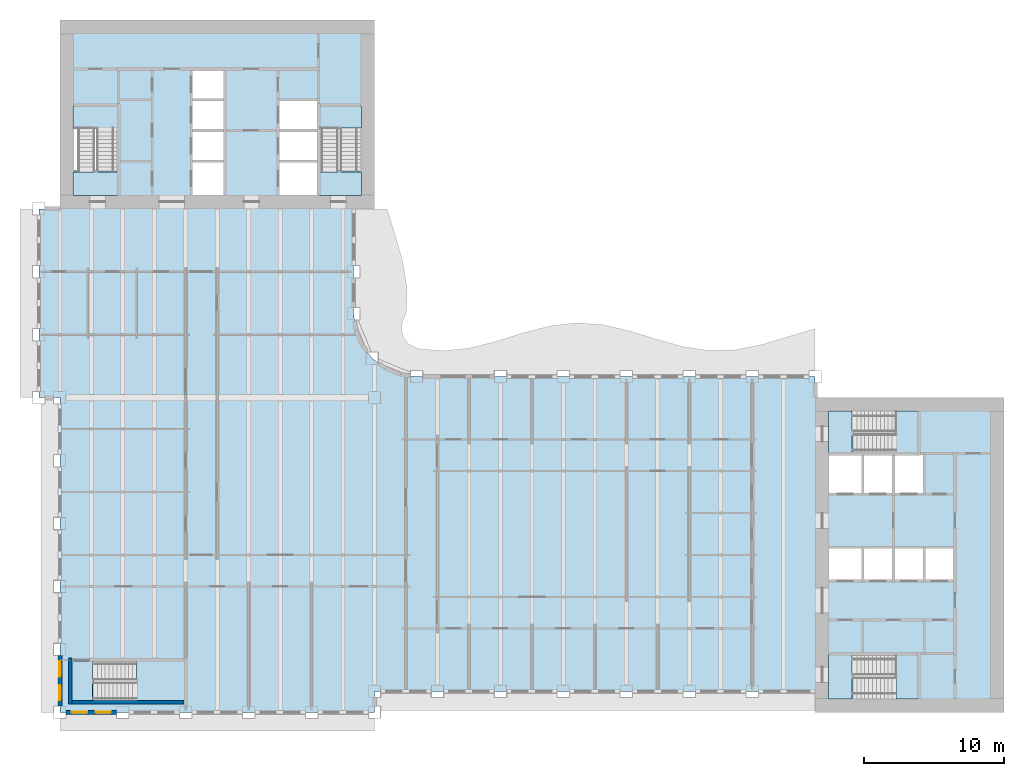
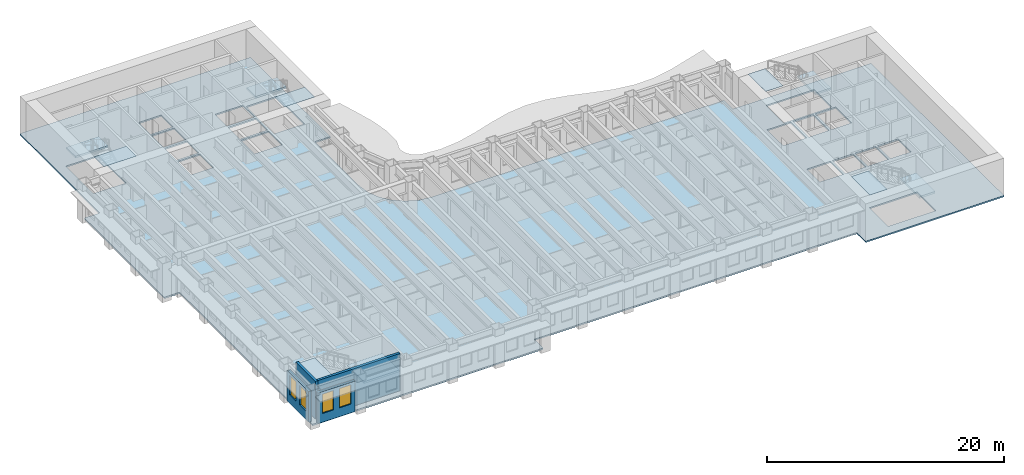
# One storey, part 2 of 16: 11 slabs, 4 walls, 4 windows, 4 openings, 5 elements without a shape of their own.
"""IFC4 building model written with IfcOpenShell, lengths in metres."""

from ifc_helpers import new_model, si_unit, direction, frame, frame_2d, origin, place, context, subcontext, project, spatial, polyline, rectangle, outline, extrude, material, layer, layer_set, type_object, element, fill, aggregate, save


model = new_model("IFC4")

# Units and contexts
model_context = context("Model", 3, precision=1e-05, world=origin(), true_north=direction((0.0, 1.0)))
body_context = subcontext(model_context, "Body", "Model", "MODEL_VIEW")
ifc_project = project(units=[si_unit("LENGTHUNIT", "METRE"), si_unit("AREAUNIT", "SQUARE_METRE"), si_unit("VOLUMEUNIT", "CUBIC_METRE"), si_unit("PLANEANGLEUNIT", "RADIAN"), si_unit("MASSUNIT", "GRAM", prefix="KILO")], contexts=[model_context])

# Site, building, storey
site_placement = place(None, origin())
site = spatial("IfcSite", under=ifc_project, at=site_placement, CompositionType="ELEMENT")
building_placement = place(site_placement, origin())
building = spatial("IfcBuilding", under=site, at=building_placement, Name="Sennacour Bend Tower", CompositionType="ELEMENT")
storey_placement = place(building_placement, frame((0.0, 0.0, 163.0)))
storey = spatial("IfcBuildingStorey", under=building, at=storey_placement, Name="L37", CompositionType="ELEMENT", Elevation=163.0)

# Slabs
ifc_material_1 = material(Name="Concrete C30/37", Category="concrete")
ifc_layer_1 = layer(ifc_material_1, 0.14990234375, Name="Concrete C30/37", Category="concrete")
ifc_layer_set_1 = layer_set([ifc_layer_1], Name="Concrete C30/37")
slab_type_1 = type_object("IfcSlabType", Name="Floor slab 150", PredefinedType="FLOOR", material=ifc_layer_set_1)
slab_1_placement = place(storey_placement, frame((0.0, 0.0, -0.14990234375)))
element("IfcSlab", 1, at=slab_1_placement, inside=storey, type_object=slab_type_1, Name="Floor slab L37-01", PredefinedType="FLOOR", context=body_context, shape_type="SweptSolid", body=[
    extrude(outline(polyline([(0.0, 22.5), (-1.5, 22.5), (-1.5, 36.0), (0.0, 36.0), (0.0, 49.5), (22.5, 49.5), (22.5, 36.0), (21.0, 36.0), (21.0, 28.5), (21.1533203125, 27.335205078125), (21.602783203125, 26.25), (22.318115234375, 25.318115234375), (23.25, 24.602783203125), (24.335205078125, 24.1533203125), (25.5, 24.0), (54.0, 24.0), (54.0, 22.5), (67.5, 22.5), (67.5, 0.0), (54.0, 0.0), (54.0, 1.5), (22.5, 1.5), (22.5, 0.0), (0.0, 0.0), (0.0, 22.5)]), holes=[polyline([(8.800048828125, 0.949951171875), (8.800048828125, 3.5), (2.429931640625, 3.5), (2.429931640625, 0.949951171875), (8.800048828125, 0.949951171875)]), polyline([(11.699951171875, 37.0), (11.699951171875, 39.300048828125), (9.5, 39.300048828125), (9.5, 37.0), (11.699951171875, 37.0)]), polyline([(18.39990234375, 37.0), (18.39990234375, 39.300048828125), (15.699951171875, 39.300048828125), (15.699951171875, 37.0), (18.39990234375, 37.0)]), polyline([(11.699951171875, 39.5), (11.699951171875, 41.5), (9.5, 41.5), (9.5, 39.5), (11.699951171875, 39.5)]), polyline([(18.39990234375, 39.5), (18.39990234375, 41.5), (15.699951171875, 41.5), (15.699951171875, 39.5), (18.39990234375, 39.5)]), polyline([(4.125, 38.72998046875), (4.125, 43.39990234375), (0.949951171875, 43.39990234375), (0.949951171875, 38.72998046875), (4.125, 38.72998046875)]), polyline([(21.550048828125, 38.72998046875), (21.550048828125, 43.39990234375), (18.574951171875, 43.39990234375), (18.574951171875, 38.72998046875), (21.550048828125, 38.72998046875)]), polyline([(9.5, 41.699951171875), (11.699951171875, 41.699951171875), (11.699951171875, 43.699951171875), (9.5, 43.699951171875), (9.5, 41.699951171875)]), polyline([(15.699951171875, 41.699951171875), (18.39990234375, 41.699951171875), (18.39990234375, 43.699951171875), (15.699951171875, 43.699951171875), (15.699951171875, 41.699951171875)]), polyline([(11.699951171875, 43.89990234375), (11.699951171875, 45.89990234375), (9.5, 45.89990234375), (9.5, 43.89990234375), (11.699951171875, 43.89990234375)]), polyline([(61.39990234375, 0.949951171875), (61.39990234375, 4.125), (56.72998046875, 4.125), (56.72998046875, 0.949951171875), (61.39990234375, 0.949951171875)]), polyline([(57.300048828125, 9.5), (57.300048828125, 11.699951171875), (55.0, 11.699951171875), (55.0, 9.5), (57.300048828125, 9.5)]), polyline([(57.5, 9.5), (59.5, 9.5), (59.5, 11.699951171875), (57.5, 11.699951171875), (57.5, 9.5)]), polyline([(59.699951171875, 9.5), (61.699951171875, 9.5), (61.699951171875, 11.699951171875), (59.699951171875, 11.699951171875), (59.699951171875, 9.5)]), polyline([(63.89990234375, 9.5), (63.89990234375, 11.699951171875), (61.89990234375, 11.699951171875), (61.89990234375, 9.5), (63.89990234375, 9.5)]), polyline([(57.300048828125, 15.699951171875), (57.300048828125, 18.39990234375), (55.0, 18.39990234375), (55.0, 15.699951171875), (57.300048828125, 15.699951171875)]), polyline([(59.5, 15.699951171875), (59.5, 18.39990234375), (57.5, 18.39990234375), (57.5, 15.699951171875), (59.5, 15.699951171875)]), polyline([(59.699951171875, 15.699951171875), (61.699951171875, 15.699951171875), (61.699951171875, 18.39990234375), (59.699951171875, 18.39990234375), (59.699951171875, 15.699951171875)]), polyline([(56.72998046875, 18.574951171875), (61.39990234375, 18.574951171875), (61.39990234375, 21.550048828125), (56.72998046875, 21.550048828125), (56.72998046875, 18.574951171875)])]), origin(), (0.0, 0.0, 1.0), 0.14990234375),
])
ifc_material_2 = material(Name="Concrete C40/50", Category="concrete")
ifc_layer_2 = layer(ifc_material_2, 0.034912109375, Name="Concrete C40/50", Category="concrete")
ifc_layer_set_2 = layer_set([ifc_layer_2], Name="Concrete C40/50")
slab_type_2 = type_object("IfcSlabType", Name="Stair arrival nib 35", PredefinedType="FLOOR", material=ifc_layer_set_2)
slab_2_placement = place(storey_placement, frame((0.0, 0.0, 3.815185546875)))
element("IfcSlab", 2, at=slab_2_placement, inside=storey, type_object=slab_type_2, Name="L37 SA1 stair arrival nib", PredefinedType="FLOOR", context=body_context, shape_type="SweptSolid", body=[
    extrude(outline(polyline([(56.64208984375, 4.125), (54.949951171875, 4.125), (54.949951171875, 0.949951171875), (56.64208984375, 0.949951171875), (56.64208984375, 4.125)])), origin(), (0.0, 0.0, 1.0), 0.034912109375),
])
slab_3_placement = place(storey_placement, frame((0.0, 0.0, 3.815185546875)))
element("IfcSlab", 3, at=slab_3_placement, inside=storey, type_object=slab_type_2, Name="L37 SA2 stair arrival nib", PredefinedType="FLOOR", context=body_context, shape_type="SweptSolid", body=[
    extrude(outline(polyline([(56.64208984375, 21.550048828125), (54.949951171875, 21.550048828125), (54.949951171875, 18.574951171875), (56.64208984375, 18.574951171875), (56.64208984375, 21.550048828125)])), origin(), (0.0, 0.0, 1.0), 0.034912109375),
])
slab_4_placement = place(storey_placement, frame((0.0, 0.0, 3.815185546875)))
element("IfcSlab", 4, at=slab_4_placement, inside=storey, type_object=slab_type_2, Name="L37 SB1 stair arrival nib", PredefinedType="FLOOR", context=body_context, shape_type="SweptSolid", body=[
    extrude(outline(polyline([(0.949951171875, 38.64208984375), (0.949951171875, 36.949951171875), (4.125, 36.949951171875), (4.125, 38.64208984375), (0.949951171875, 38.64208984375)])), origin(), (0.0, 0.0, 1.0), 0.034912109375),
])
slab_5_placement = place(storey_placement, frame((0.0, 0.0, 3.815185546875)))
element("IfcSlab", 5, at=slab_5_placement, inside=storey, type_object=slab_type_2, Name="L37 SB2 stair arrival nib", PredefinedType="FLOOR", context=body_context, shape_type="SweptSolid", body=[
    extrude(outline(polyline([(18.574951171875, 38.64208984375), (18.574951171875, 36.949951171875), (21.550048828125, 36.949951171875), (21.550048828125, 38.64208984375), (18.574951171875, 38.64208984375)])), origin(), (0.0, 0.0, 1.0), 0.034912109375),
])
slab_6_placement = place(storey_placement, frame((0.0, 0.0, 3.815185546875)))
element("IfcSlab", 6, at=slab_6_placement, inside=storey, type_object=slab_type_2, Name="L37 SK1 stair arrival nib", PredefinedType="FLOOR", context=body_context, shape_type="SweptSolid", body=[
    extrude(outline(polyline([(2.342041015625, 3.675048828125), (0.800048828125, 3.675048828125), (0.800048828125, 0.800048828125), (2.342041015625, 0.800048828125), (2.342041015625, 3.675048828125)])), origin(), (0.0, 0.0, 1.0), 0.034912109375),
])

# Stair, slab
stair_type = type_object("IfcStairType", Name="ST-DOGLEG", PredefinedType="HALF_TURN_STAIR", material=ifc_material_2)
stair_1_placement = place(storey_placement, origin())
stair_1 = element("IfcStair", 7, at=stair_1_placement, inside=storey, type_object=stair_type, Name="L37 Exit stair A1", PredefinedType="HALF_TURN_STAIR")
ifc_layer_3 = layer(ifc_material_2, 0.199951171875, Name="Concrete C40/50", Category="concrete")
ifc_layer_set_3 = layer_set([ifc_layer_3], Name="Concrete C40/50")
slab_type_3 = type_object("IfcSlabType", Name="Stair landing 200", PredefinedType="LANDING", material=ifc_layer_set_3)
slab_7_placement = place(storey_placement, frame((0.0, 0.0, 1.800048828125)))
slab_7 = element("IfcSlab", 8, at=slab_7_placement, type_object=slab_type_3, Name="SA1 landing 1", PredefinedType="LANDING", context=body_context, shape_type="SweptSolid", body=[
    extrude(outline(polyline([(59.780029296875, 0.949951171875), (61.324951171875, 0.949951171875), (61.324951171875, 4.125), (59.780029296875, 4.125), (59.780029296875, 0.949951171875)])), origin(), (0.0, 0.0, 1.0), 0.199951171875),
])
aggregate(stair_1, [slab_7])

stair_2_placement = place(storey_placement, origin())
stair_2 = element("IfcStair", 9, at=stair_2_placement, inside=storey, type_object=stair_type, Name="L37 Exit stair A2", PredefinedType="HALF_TURN_STAIR")
slab_8_placement = place(storey_placement, frame((0.0, 0.0, 1.800048828125)))
slab_8 = element("IfcSlab", 10, at=slab_8_placement, type_object=slab_type_3, Name="SA2 landing 1", PredefinedType="LANDING", context=body_context, shape_type="SweptSolid", body=[
    extrude(outline(polyline([(59.780029296875, 18.574951171875), (61.324951171875, 18.574951171875), (61.324951171875, 21.550048828125), (59.780029296875, 21.550048828125), (59.780029296875, 18.574951171875)])), origin(), (0.0, 0.0, 1.0), 0.199951171875),
])
aggregate(stair_2, [slab_8])

stair_3_placement = place(storey_placement, origin())
stair_3 = element("IfcStair", 11, at=stair_3_placement, inside=storey, type_object=stair_type, Name="L37 Exit stair B1", PredefinedType="HALF_TURN_STAIR")
slab_9_placement = place(storey_placement, frame((0.0, 0.0, 1.800048828125)))
slab_9 = element("IfcSlab", 12, at=slab_9_placement, type_object=slab_type_3, Name="SB1 landing 1", PredefinedType="LANDING", context=body_context, shape_type="SweptSolid", body=[
    extrude(outline(polyline([(0.949951171875, 41.780029296875), (4.125, 41.780029296875), (4.125, 43.324951171875), (0.949951171875, 43.324951171875), (0.949951171875, 41.780029296875)])), origin(), (0.0, 0.0, 1.0), 0.199951171875),
])
aggregate(stair_3, [slab_9])

stair_4_placement = place(storey_placement, origin())
stair_4 = element("IfcStair", 13, at=stair_4_placement, inside=storey, type_object=stair_type, Name="L37 Exit stair B2", PredefinedType="HALF_TURN_STAIR")
slab_10_placement = place(storey_placement, frame((0.0, 0.0, 1.800048828125)))
slab_10 = element("IfcSlab", 14, at=slab_10_placement, type_object=slab_type_3, Name="SB2 landing 1", PredefinedType="LANDING", context=body_context, shape_type="SweptSolid", body=[
    extrude(outline(polyline([(18.574951171875, 41.780029296875), (21.550048828125, 41.780029296875), (21.550048828125, 43.324951171875), (18.574951171875, 43.324951171875), (18.574951171875, 41.780029296875)])), origin(), (0.0, 0.0, 1.0), 0.199951171875),
])
aggregate(stair_4, [slab_10])

stair_5_placement = place(storey_placement, origin())
stair_5 = element("IfcStair", 15, at=stair_5_placement, inside=storey, type_object=stair_type, Name="L37 Exit stair K1", PredefinedType="HALF_TURN_STAIR")
slab_11_placement = place(storey_placement, frame((0.0, 0.0, 1.800048828125)))
slab_11 = element("IfcSlab", 16, at=slab_11_placement, type_object=slab_type_3, Name="SK1 landing 1", PredefinedType="LANDING", context=body_context, shape_type="SweptSolid", body=[
    extrude(outline(polyline([(5.47998046875, 0.800048828125), (8.925048828125, 0.800048828125), (8.925048828125, 3.675048828125), (5.47998046875, 3.675048828125), (5.47998046875, 0.800048828125)])), origin(), (0.0, 0.0, 1.0), 0.199951171875),
])
aggregate(stair_5, [slab_11])

# Wall, openings, windows
ifc_material_3 = material(Name="Warm limestone cladding", Category="masonry")
ifc_layer_4 = layer(ifc_material_3, 0.050048828125, Name="Warm limestone cladding", Category="masonry")
ifc_material_4 = material(Name="Precast concrete C40/50", Category="concrete")
ifc_layer_5 = layer(ifc_material_4, 0.25, Name="Precast concrete C40/50", Category="concrete")
ifc_layer_set_4 = layer_set([ifc_layer_4, ifc_layer_5], Name="Precast concrete C40/50 with limestone cladding")
wall_type_1 = type_object("IfcWallType", Name="STONE-CLAD PRECAST SPANDREL 300", PredefinedType="STANDARD", material=ifc_layer_set_4)
wall_1_placement = place(storey_placement, frame((0.449951171875, 0.0, 0.0), z_axis=(0.0, 0.0, 1.0), x_axis=(1.0, 0.0, 0.0)))
wall_1 = element("IfcWall", 17, at=wall_1_placement, inside=storey, type_object=wall_type_1, Name="Stone spandrel and pier wall L37 00.00", PredefinedType="STANDARD", context=body_context, shape_type="SweptSolid", body=[
    extrude(rectangle(XDim=3.60009765625, YDim=0.300048828125, at=frame_2d((1.800048828125, 0.0))), origin(), (0.0, 0.0, 1.0), 3.14892578125),
])
opening_1_placement = place(wall_1_placement, frame((0.39990234375, 0.0, 0.89990234375)))
opening_1 = element("IfcOpeningElement", 18, at=opening_1_placement, cuts=wall_1, Name="Opening W19", PredefinedType="OPENING", context=body_context, shape_type="SweptSolid", body=[
    extrude(rectangle(XDim=1.10009765625, YDim=2.0, at=frame_2d((0.550048828125, 1.0))), frame((0.0, 0.16015625, 0.0), z_axis=(0.0, -1.0, 0.0), x_axis=(1.0, 0.0, 0.0)), (0.0, 0.0, 1.0), 0.320068359375),
])
opening_2_placement = place(wall_1_placement, frame((2.10009765625, 0.0, 0.89990234375)))
opening_2 = element("IfcOpeningElement", 19, at=opening_2_placement, cuts=wall_1, Name="Opening W19", PredefinedType="OPENING", context=body_context, shape_type="SweptSolid", body=[
    extrude(rectangle(XDim=1.10009765625, YDim=2.0, at=frame_2d((0.550048828125, 1.0))), frame((0.0, 0.16015625, 0.0), z_axis=(0.0, -1.0, 0.0), x_axis=(1.0, 0.0, 0.0)), (0.0, 0.0, 1.0), 0.320068359375),
])
ifc_material_5 = material(Name="Clear low-emissivity glass", Category="glass")
window_type = type_object("IfcWindowType", Name="WIN-RIBBON-1100x2000", PartitioningType="SINGLE_PANEL", PredefinedType="WINDOW", material=ifc_material_5)
window_1_placement = place(opening_1_placement, origin())
window_1 = element("IfcWindow", 20, at=window_1_placement, inside=storey, type_object=window_type, Name="Ribbon window L37 00.00.0", OverallHeight=2.0, OverallWidth=1.10009765625, PartitioningType="SINGLE_PANEL", PredefinedType="WINDOW", context=body_context, shape_type="SweptSolid", body=[
    extrude(rectangle(XDim=1.10009765625, YDim=2.0, at=frame_2d((0.550048828125, 1.0))), frame((0.0, 0.030029296875, 0.0), z_axis=(0.0, -1.0, 0.0), x_axis=(1.0, 0.0, 0.0)), (0.0, 0.0, 1.0), 0.06005859375),
])
fill(opening_1, window_1)
window_2_placement = place(opening_2_placement, origin())
window_2 = element("IfcWindow", 21, at=window_2_placement, inside=storey, type_object=window_type, Name="Ribbon window L37 00.00.1", OverallHeight=2.0, OverallWidth=1.10009765625, PartitioningType="SINGLE_PANEL", PredefinedType="WINDOW", context=body_context, shape_type="SweptSolid", body=[
    extrude(rectangle(XDim=1.10009765625, YDim=2.0, at=frame_2d((0.550048828125, 1.0))), frame((0.0, 0.030029296875, 0.0), z_axis=(0.0, -1.0, 0.0), x_axis=(1.0, 0.0, 0.0)), (0.0, 0.0, 1.0), 0.06005859375),
])
fill(opening_2, window_2)

wall_2_placement = place(storey_placement, frame((0.0, 4.050048828125, 0.0), z_axis=(0.0, 0.0, 1.0), x_axis=(0.0, -1.0, 0.0)))
wall_2 = element("IfcWall", 22, at=wall_2_placement, inside=storey, type_object=wall_type_1, Name="Stone spandrel and pier wall L37 23.04", PredefinedType="STANDARD", context=body_context, shape_type="SweptSolid", body=[
    extrude(rectangle(XDim=3.60009765625, YDim=0.300048828125, at=frame_2d((1.800048828125, 0.0))), origin(), (0.0, 0.0, 1.0), 3.14892578125),
])
opening_3_placement = place(wall_2_placement, frame((0.39990234375, 0.0, 0.89990234375)))
opening_3 = element("IfcOpeningElement", 23, at=opening_3_placement, cuts=wall_2, Name="Opening W19", PredefinedType="OPENING", context=body_context, shape_type="SweptSolid", body=[
    extrude(rectangle(XDim=1.10009765625, YDim=2.0, at=frame_2d((0.550048828125, 1.0))), frame((0.0, 0.16015625, 0.0), z_axis=(0.0, -1.0, 0.0), x_axis=(1.0, 0.0, 0.0)), (0.0, 0.0, 1.0), 0.320068359375),
])
opening_4_placement = place(wall_2_placement, frame((2.10009765625, 0.0, 0.89990234375)))
opening_4 = element("IfcOpeningElement", 24, at=opening_4_placement, cuts=wall_2, Name="Opening W19", PredefinedType="OPENING", context=body_context, shape_type="SweptSolid", body=[
    extrude(rectangle(XDim=1.10009765625, YDim=2.0, at=frame_2d((0.550048828125, 1.0))), frame((0.0, 0.16015625, 0.0), z_axis=(0.0, -1.0, 0.0), x_axis=(1.0, 0.0, 0.0)), (0.0, 0.0, 1.0), 0.320068359375),
])
window_3_placement = place(opening_3_placement, origin())
window_3 = element("IfcWindow", 25, at=window_3_placement, inside=storey, type_object=window_type, Name="Ribbon window L37 23.04.0", OverallHeight=2.0, OverallWidth=1.10009765625, PartitioningType="SINGLE_PANEL", PredefinedType="WINDOW", context=body_context, shape_type="SweptSolid", body=[
    extrude(rectangle(XDim=1.10009765625, YDim=2.0, at=frame_2d((0.550048828125, 1.0))), frame((0.0, 0.030029296875, 0.0), z_axis=(0.0, -1.0, 0.0), x_axis=(1.0, 0.0, 0.0)), (0.0, 0.0, 1.0), 0.06005859375),
])
fill(opening_3, window_3)
window_4_placement = place(opening_4_placement, origin())
window_4 = element("IfcWindow", 26, at=window_4_placement, inside=storey, type_object=window_type, Name="Ribbon window L37 23.04.1", OverallHeight=2.0, OverallWidth=1.10009765625, PartitioningType="SINGLE_PANEL", PredefinedType="WINDOW", context=body_context, shape_type="SweptSolid", body=[
    extrude(rectangle(XDim=1.10009765625, YDim=2.0, at=frame_2d((0.550048828125, 1.0))), frame((0.0, 0.030029296875, 0.0), z_axis=(0.0, -1.0, 0.0), x_axis=(1.0, 0.0, 0.0)), (0.0, 0.0, 1.0), 0.06005859375),
])
fill(opening_4, window_4)

# Walls
ifc_material_6 = material(Name="Concrete C60/75", Category="concrete")
ifc_layer_6 = layer(ifc_material_6, 0.25, Name="Concrete C60/75", Category="concrete")
ifc_layer_set_5 = layer_set([ifc_layer_6], Name="Concrete C60/75")
wall_type_2 = type_object("IfcWallType", Name="Stair wall 250", PredefinedType="SHEAR", material=ifc_layer_set_5)
wall_3_placement = place(storey_placement, frame((0.72509765625, 0.60009765625, 0.0), z_axis=(0.0, 0.0, 1.0), x_axis=(0.0, 1.0, 0.0)))
element("IfcWall", 27, at=wall_3_placement, inside=storey, type_object=wall_type_2, Name="P-L37-W003", PredefinedType="SHEAR", context=body_context, shape_type="SweptSolid", body=[
    extrude(rectangle(XDim=3.27490234375, YDim=0.25, at=frame_2d((1.637451171875, 0.0))), origin(), (0.0, 0.0, 1.0), 3.85009765625),
])
wall_4_placement = place(storey_placement, frame((0.85009765625, 0.72509765625, 0.0), z_axis=(0.0, 0.0, 1.0), x_axis=(1.0, 0.0, 0.0)))
element("IfcWall", 28, at=wall_4_placement, inside=storey, type_object=wall_type_2, Name="P-L37-W052", PredefinedType="SHEAR", context=body_context, shape_type="SweptSolid", body=[
    extrude(rectangle(XDim=8.02490234375, YDim=0.25, at=frame_2d((4.012451171875, 0.0))), origin(), (0.0, 0.0, 1.0), 3.85009765625),
])

save(model, "model.ifc")
